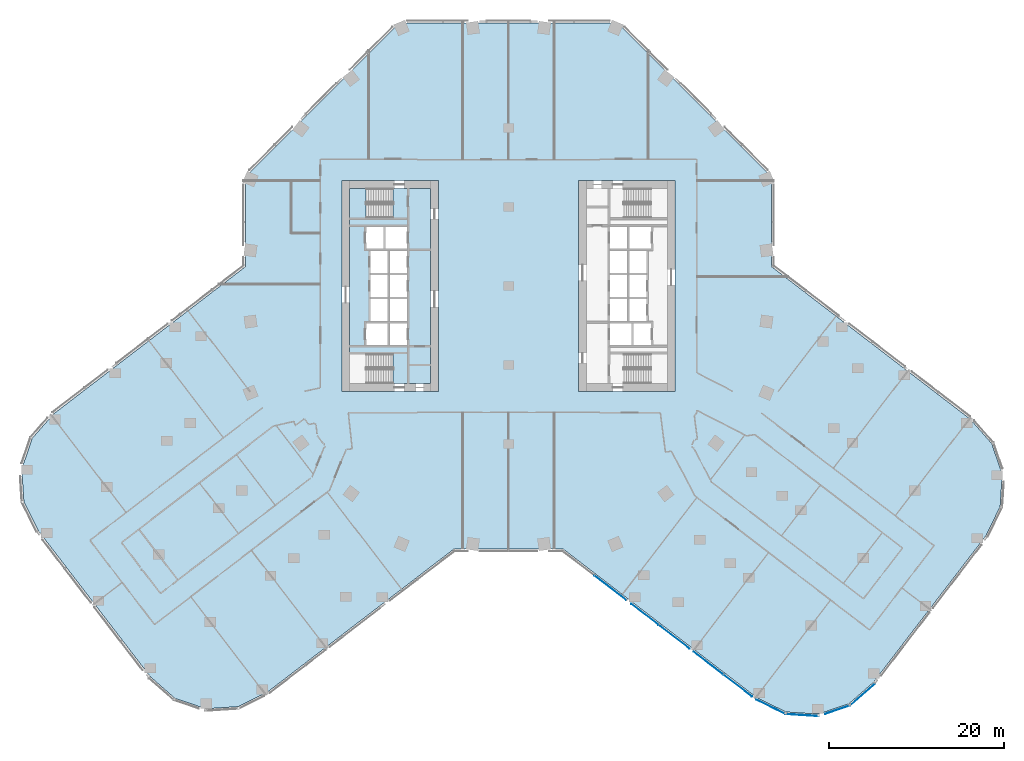
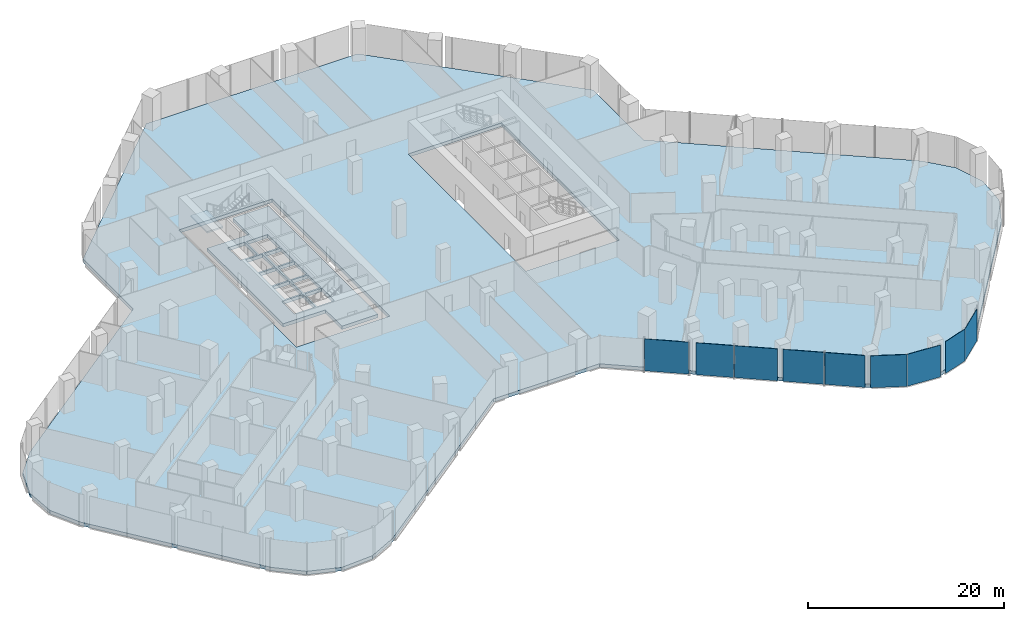
# One storey, part 17 of 29: 9 plates, 3 slabs, 6 elements without a shape of their own.
"""IFC4 building model written with IfcOpenShell, lengths in metres."""

from ifc_helpers import new_model, si_unit, direction, frame, origin, origin_2d, place, context, subcontext, project, spatial, polyline, rectangle, outline, extrude, material, layer, layer_set, type_object, element, aggregate, save


model = new_model("IFC4")

# Units and contexts
model_context = context("Model", 3, precision=1e-05, world=origin(), true_north=direction((0.0, 1.0)))
body_context = subcontext(model_context, "Body", "Model", "MODEL_VIEW")
ifc_project = project(units=[si_unit("LENGTHUNIT", "METRE"), si_unit("AREAUNIT", "SQUARE_METRE"), si_unit("VOLUMEUNIT", "CUBIC_METRE"), si_unit("PLANEANGLEUNIT", "RADIAN"), si_unit("MASSUNIT", "GRAM", prefix="KILO")], contexts=[model_context])

# Site, building, storey
site_placement = place(None, origin())
site = spatial("IfcSite", under=ifc_project, at=site_placement, CompositionType="ELEMENT")
building_placement = place(site_placement, origin())
building = spatial("IfcBuilding", under=site, at=building_placement, Name="Orlundy Tower", CompositionType="ELEMENT")
storey_placement = place(building_placement, frame((0.0, 0.0, 25.10009765625)))
storey = spatial("IfcBuildingStorey", under=building, at=storey_placement, Name="L04", CompositionType="ELEMENT", Elevation=25.10009765625)

# Curtain wall, plates
ifc_material_1 = material(Name="Aluminium bronze anodised", Category="aluminium")
curtain_wall_type = type_object("IfcCurtainWallType", Name="CW2 wall", PredefinedType="NOTDEFINED", material=ifc_material_1)
curtain_wall_1_placement = place(storey_placement, origin())
curtain_wall_1 = element("IfcCurtainWall", 1, at=curtain_wall_1_placement, inside=storey, type_object=curtain_wall_type, Name="CW2 run 00", PredefinedType="NOTDEFINED")
ifc_material_2 = material(Name="Tinted glass", Category="glass")
ifc_layer_1 = layer(ifc_material_2, 0.0380859375)
ifc_layer_set_1 = layer_set([ifc_layer_1], Name="CW2 glass panel 38")
plate_type = type_object("IfcPlateType", Name="CW2 glass panel 38", PredefinedType="CURTAIN_PANEL", material=ifc_layer_set_1)
plate_1_placement = place(storey_placement, frame((26.11962890625, -45.54296875, -0.27001953125), z_axis=(0.0, 0.0, 1.0), x_axis=(-0.793356622022, 0.60875715215, 0.0)))
plate_1 = element("IfcPlate", 2, at=plate_1_placement, type_object=plate_type, Name="CW2 panel", PredefinedType="CURTAIN_PANEL", context=body_context, shape_type="SweptSolid", body=[
    extrude(rectangle(XDim=4.10498046875, YDim=0.0380859375, at=origin_2d()), origin(), (0.0, 0.0, 1.0), 3.969970703125),
])
plate_2_placement = place(storey_placement, frame((22.7744140625, -42.97607421875, -0.27001953125), z_axis=(0.0, 0.0, 1.0), x_axis=(-0.793356622022, 0.60875715215, 0.0)))
plate_2 = element("IfcPlate", 3, at=plate_2_placement, type_object=plate_type, Name="CW2 panel", PredefinedType="CURTAIN_PANEL", context=body_context, shape_type="SweptSolid", body=[
    extrude(rectangle(XDim=4.228271484375, YDim=0.0380859375, at=origin_2d()), origin(), (0.0, 0.0, 1.0), 3.969970703125),
])
plate_3_placement = place(storey_placement, frame((18.888916015625, -39.99462890625, -0.27001953125), z_axis=(0.0, 0.0, 1.0), x_axis=(-0.793356622022, 0.60875715215, 0.0)))
plate_3 = element("IfcPlate", 4, at=plate_3_placement, type_object=plate_type, Name="CW2 panel", PredefinedType="CURTAIN_PANEL", context=body_context, shape_type="SweptSolid", body=[
    extrude(rectangle(XDim=4.3994140625, YDim=0.0380859375, at=origin_2d()), origin(), (0.0, 0.0, 1.0), 3.969970703125),
])
plate_4_placement = place(storey_placement, frame((15.54345703125, -37.427490234375, -0.27001953125), z_axis=(0.0, 0.0, 1.0), x_axis=(-0.793356622022, 0.60875715215, 0.0)))
plate_4 = element("IfcPlate", 5, at=plate_4_placement, type_object=plate_type, Name="CW2 panel", PredefinedType="CURTAIN_PANEL", context=body_context, shape_type="SweptSolid", body=[
    extrude(rectangle(XDim=3.934326171875, YDim=0.0380859375, at=origin_2d()), origin(), (0.0, 0.0, 1.0), 3.969970703125),
])
plate_5_placement = place(storey_placement, frame((11.613037109375, -34.411865234375, -0.27001953125), z_axis=(0.0, 0.0, 1.0), x_axis=(-0.793356622022, 0.60875715215, 0.0)))
plate_5 = element("IfcPlate", 6, at=plate_5_placement, type_object=plate_type, Name="CW2 panel", PredefinedType="CURTAIN_PANEL", context=body_context, shape_type="SweptSolid", body=[
    extrude(rectangle(XDim=4.580810546875, YDim=0.0380859375, at=origin_2d()), origin(), (0.0, 0.0, 1.0), 3.969970703125),
])
aggregate(curtain_wall_1, [plate_1, plate_2, plate_3, plate_4, plate_5])

# Curtain wall, plate
curtain_wall_2_placement = place(storey_placement, origin())
curtain_wall_2 = element("IfcCurtainWall", 7, at=curtain_wall_2_placement, inside=storey, type_object=curtain_wall_type, Name="CW2 run 024", PredefinedType="NOTDEFINED")
plate_6_placement = place(storey_placement, frame((40.3466796875, -46.571533203125, -0.27001953125), z_axis=(0.0, 0.0, 1.0), x_axis=(-0.751857647447, -0.65932547196, 0.0)))
plate_6 = element("IfcPlate", 8, at=plate_6_placement, type_object=plate_type, Name="CW2 panel", PredefinedType="CURTAIN_PANEL", context=body_context, shape_type="SweptSolid", body=[
    extrude(rectangle(XDim=3.75048828125, YDim=0.0380859375, at=origin_2d()), origin(), (0.0, 0.0, 1.0), 3.969970703125),
])
aggregate(curtain_wall_2, [plate_6])

curtain_wall_3_placement = place(storey_placement, origin())
curtain_wall_3 = element("IfcCurtainWall", 9, at=curtain_wall_3_placement, inside=storey, type_object=curtain_wall_type, Name="CW2 run 025", PredefinedType="NOTDEFINED")
plate_7_placement = place(storey_placement, frame((37.5087890625, -48.29296875, -0.27001953125), z_axis=(0.0, 0.0, 1.0), x_axis=(-0.946887788144, -0.321564171921, 0.0)))
plate_7 = element("IfcPlate", 10, at=plate_7_placement, type_object=plate_type, Name="CW2 panel", PredefinedType="CURTAIN_PANEL", context=body_context, shape_type="SweptSolid", body=[
    extrude(rectangle(XDim=3.015869140625, YDim=0.0380859375, at=origin_2d()), origin(), (0.0, 0.0, 1.0), 3.969970703125),
])
aggregate(curtain_wall_3, [plate_7])

curtain_wall_4_placement = place(storey_placement, origin())
curtain_wall_4 = element("IfcCurtainWall", 11, at=curtain_wall_4_placement, inside=storey, type_object=curtain_wall_type, Name="CW2 run 026", PredefinedType="NOTDEFINED")
plate_8_placement = place(storey_placement, frame((33.4443359375, -48.905029296875, -0.27001953125), z_axis=(0.0, 0.0, 1.0), x_axis=(-0.9978491458, 0.065552133657, 0.0)))
plate_8 = element("IfcPlate", 12, at=plate_8_placement, type_object=plate_type, Name="CW2 panel", PredefinedType="CURTAIN_PANEL", context=body_context, shape_type="SweptSolid", body=[
    extrude(rectangle(XDim=3.798828125, YDim=0.0380859375, at=origin_2d()), origin(), (0.0, 0.0, 1.0), 3.969970703125),
])
aggregate(curtain_wall_4, [plate_8])

curtain_wall_5_placement = place(storey_placement, origin())
curtain_wall_5 = element("IfcCurtainWall", 13, at=curtain_wall_5_placement, inside=storey, type_object=curtain_wall_type, Name="CW2 run 027", PredefinedType="NOTDEFINED")
plate_9_placement = place(storey_placement, frame((29.892578125, -47.9638671875, -0.27001953125), z_axis=(0.0, 0.0, 1.0), x_axis=(-0.896895794801, 0.442241939743, 0.0)))
plate_9 = element("IfcPlate", 14, at=plate_9_placement, type_object=plate_type, Name="CW2 panel", PredefinedType="CURTAIN_PANEL", context=body_context, shape_type="SweptSolid", body=[
    extrude(rectangle(XDim=3.693603515625, YDim=0.0380859375, at=origin_2d()), origin(), (0.0, 0.0, 1.0), 3.969970703125),
])
aggregate(curtain_wall_5, [plate_9])

# Slab
ifc_material_3 = material(Name="Concrete C50/60", Category="concrete")
ifc_layer_2 = layer(ifc_material_3, 0.419921875)
ifc_layer_set_2 = layer_set([ifc_layer_2], Name="Core Floor Slab 420")
slab_type_1 = type_object("IfcSlabType", Name="Core Floor Slab 420", PredefinedType="FLOOR", material=ifc_layer_set_2)
slab_1_placement = place(storey_placement, frame((0.0, 0.0, -0.420166015625)))
element("IfcSlab", 15, at=slab_1_placement, inside=storey, type_object=slab_type_1, Name="Core floor W05", PredefinedType="FLOOR", context=body_context, shape_type="SweptSolid", body=[
    extrude(outline(polyline([(-8.89990234375, -11.10009765625), (-13.14501953125, -11.10009765625), (-13.14501953125, -7.75), (-18.10009765625, -7.75), (-18.10009765625, 7.75), (-13.14501953125, 7.75), (-13.14501953125, 11.10009765625), (-8.89990234375, 11.10009765625), (-8.89990234375, -11.10009765625)]), holes=[polyline([(-11.5400390625, -6.77490234375), (-11.5400390625, -4.22509765625), (-13.5400390625, -4.22509765625), (-13.5400390625, -6.77490234375), (-11.5400390625, -6.77490234375)]), polyline([(-16.239990234375, -6.77490234375), (-13.739990234375, -6.77490234375), (-13.739990234375, -4.22509765625), (-16.239990234375, -4.22509765625), (-16.239990234375, -6.77490234375)]), polyline([(-13.5400390625, -1.47509765625), (-13.5400390625, -4.02490234375), (-11.5400390625, -4.02490234375), (-11.5400390625, -1.47509765625), (-13.5400390625, -1.47509765625)]), polyline([(-13.739990234375, -1.47509765625), (-15.739990234375, -1.47509765625), (-15.739990234375, -4.02490234375), (-13.739990234375, -4.02490234375), (-13.739990234375, -1.47509765625)]), polyline([(-11.5400390625, -1.27490234375), (-11.5400390625, 1.27490234375), (-13.5400390625, 1.27490234375), (-13.5400390625, -1.27490234375), (-11.5400390625, -1.27490234375)]), polyline([(-15.739990234375, -1.27490234375), (-13.739990234375, -1.27490234375), (-13.739990234375, 1.27490234375), (-15.739990234375, 1.27490234375), (-15.739990234375, -1.27490234375)]), polyline([(-13.5400390625, 4.02490234375), (-13.5400390625, 1.47509765625), (-11.5400390625, 1.47509765625), (-11.5400390625, 4.02490234375), (-13.5400390625, 4.02490234375)]), polyline([(-13.739990234375, 4.02490234375), (-15.739990234375, 4.02490234375), (-15.739990234375, 1.47509765625), (-13.739990234375, 1.47509765625), (-13.739990234375, 4.02490234375)]), polyline([(-11.5400390625, 4.22509765625), (-11.5400390625, 6.77490234375), (-14.0400390625, 6.77490234375), (-14.0400390625, 4.22509765625), (-11.5400390625, 4.22509765625)]), polyline([(-16.239990234375, 4.22509765625), (-14.239990234375, 4.22509765625), (-14.239990234375, 6.77490234375), (-16.239990234375, 6.77490234375), (-16.239990234375, 4.22509765625)])]), origin(), (0.0, 0.0, 1.0), 0.420166015625),
])

# Stair, slab
ifc_material_4 = material(Name="Concrete C50/60", Category="concrete")
stair_type = type_object("IfcStairType", Name="Exit Stair 24 risers", PredefinedType="HALF_TURN_STAIR", material=ifc_material_4)
stair_placement = place(storey_placement, origin())
stair = element("IfcStair", 16, at=stair_placement, inside=storey, type_object=stair_type, Name="L04 Exit Stair ST-W1", PredefinedType="HALF_TURN_STAIR")
ifc_material_5 = material(Name="Concrete C50/60", Category="concrete")
ifc_layer_3 = layer(ifc_material_5, 0.199951171875)
ifc_layer_set_3 = layer_set([ifc_layer_3], Name="Exit Stair Landing")
slab_type_2 = type_object("IfcSlabType", Name="Exit Stair Landing", PredefinedType="LANDING", material=ifc_layer_set_3)
slab_2_placement = place(storey_placement, frame((0.0, 0.0, 1.849853515625)))
slab_2 = element("IfcSlab", 17, at=slab_2_placement, type_object=slab_type_2, Name="ST-W1 landing 1", PredefinedType="LANDING", context=body_context, shape_type="SweptSolid", body=[
    extrude(outline(polyline([(-16.219970703125, 11.10009765625), (-18.10009765625, 11.10009765625), (-18.10009765625, 7.75), (-16.219970703125, 7.75), (-16.219970703125, 11.10009765625)])), origin(), (0.0, 0.0, 1.0), 0.199951171875),
])
aggregate(stair, [slab_2])

# Slab
ifc_material_6 = material(Name="Concrete C45/55", Category="concrete")
ifc_layer_4 = layer(ifc_material_6, 0.419921875)
ifc_layer_set_4 = layer_set([ifc_layer_4], Name="TRANSFER FLOOR SLAB 420 C45/55")
slab_type_3 = type_object("IfcSlabType", Name="TRANSFER FLOOR SLAB 420 C45/55", PredefinedType="FLOOR", material=ifc_layer_set_4)
slab_3_placement = place(storey_placement, frame((0.0, 0.0, -0.420166015625)))
element("IfcSlab", 18, at=slab_3_placement, inside=storey, type_object=slab_type_3, Name="Floor slab L04", PredefinedType="FLOOR", context=body_context, shape_type="SweptSolid", body=[
    extrude(outline(polyline([(6.242919921875, -30.0), (-6.242919921875, -30.0), (-27.491943359375, -46.304931640625), (-30.81689453125, -47.945068359375), (-34.51611328125, -48.18701171875), (-38.02587890625, -46.99609375), (-40.81298828125, -44.552001953125), (-53.596923828125, -27.89111328125), (-55.236083984375, -24.56689453125), (-55.47802734375, -20.867919921875), (-54.287109375, -17.35791015625), (-51.843017578125, -14.571044921875), (-30.0, 2.18994140625), (-30.0, 12.426025390625), (-12.426025390625, 30.0), (12.426025390625, 30.0), (30.0, 12.426025390625), (30.0, 2.18994140625), (52.635986328125, -15.179931640625), (55.080078125, -17.967041015625), (56.27197265625, -21.47705078125), (56.029052734375, -25.175048828125), (54.389892578125, -28.5), (41.60595703125, -45.159912109375), (38.819091796875, -47.60400390625), (35.30908203125, -48.7958984375), (31.610107421875, -48.552978515625), (28.285888671875, -46.9140625), (6.242919921875, -30.0)]), holes=[polyline([(-8.0, -12.0), (-8.0, 12.0), (-19.0, 12.0), (-19.0, -12.0), (-8.0, -12.0)]), polyline([(19.0, -12.0), (19.0, 12.0), (8.0, 12.0), (8.0, -12.0), (19.0, -12.0)])]), origin(), (0.0, 0.0, 1.0), 0.420166015625),
])

save(model, "model.ifc")
